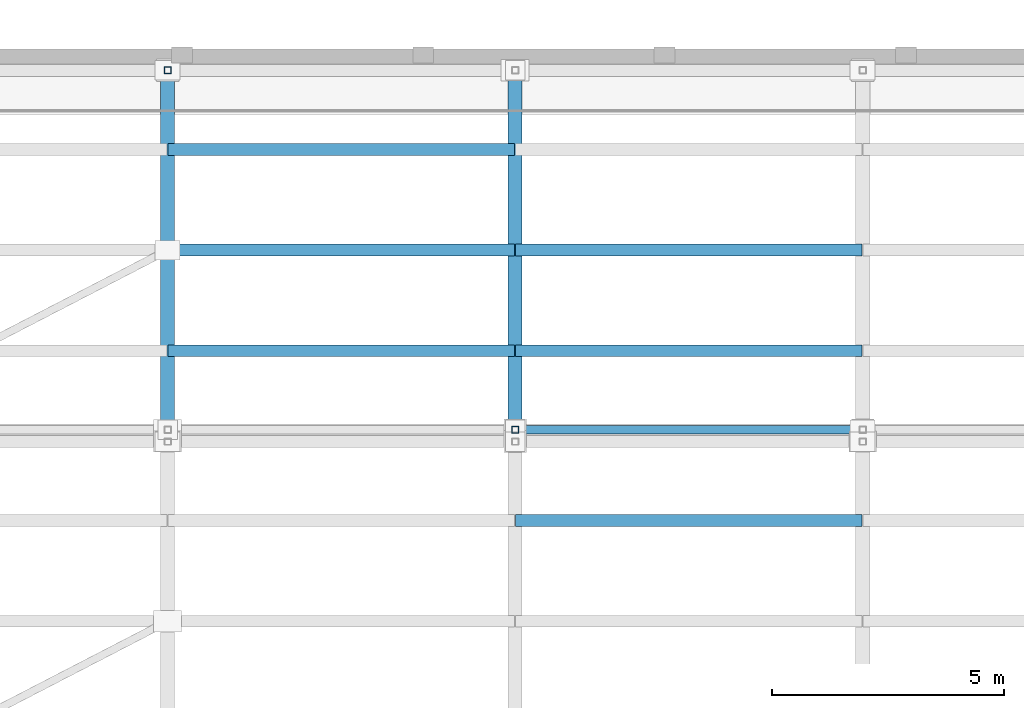
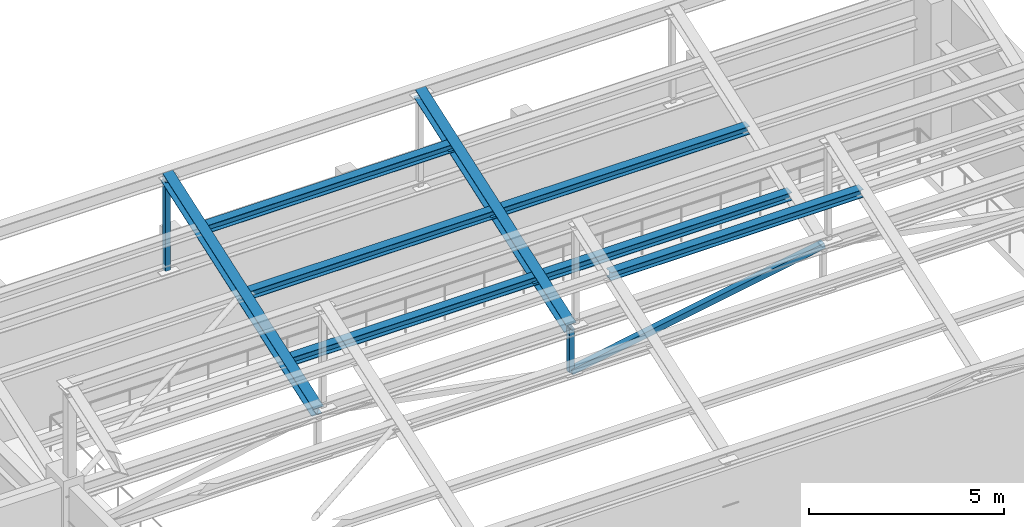
# One storey, part 29 of 76: 11 members.
"""IFC4 building model written with IfcOpenShell, lengths in metres."""

from ifc_helpers import new_model, si_unit, direction, frame, origin, origin_2d, place, context, subcontext, project, spatial, hollow_rectangle, i_section, extrude, material, material_profile, profile_set, type_object, element, save


model = new_model("IFC4")

# Units and contexts
model_context = context("Model", 3, precision=1e-05, world=origin(), true_north=direction((0.0, 1.0)))
body_context = subcontext(model_context, "Body", "Model", "MODEL_VIEW")
ifc_project = project(units=[si_unit("LENGTHUNIT", "METRE"), si_unit("AREAUNIT", "SQUARE_METRE"), si_unit("VOLUMEUNIT", "CUBIC_METRE"), si_unit("PLANEANGLEUNIT", "RADIAN"), si_unit("MASSUNIT", "GRAM", prefix="KILO")], contexts=[model_context])

# Site, building, storey
site_placement = place(None, origin())
site = spatial("IfcSite", under=ifc_project, at=site_placement, CompositionType="ELEMENT")
building_placement = place(site_placement, origin())
building = spatial("IfcBuilding", under=site, at=building_placement, Name="Cinchona Park Media Centre", CompositionType="ELEMENT")
storey_placement = place(building_placement, frame((0.0, 0.0, 15.60009765625)))
storey = spatial("IfcBuildingStorey", under=building, at=storey_placement, Name="L03", CompositionType="ELEMENT", Elevation=15.60009765625)

# Members
ifc_material_1 = material(Name="Steel S355", Category="steel")
ifc_material_profile_1 = material_profile(ifc_material_1, i_section(OverallWidth=0.25390625, OverallDepth=0.2529296875, WebThickness=0.008544921875, FlangeThickness=0.01416015625, at=origin_2d()), Name="W250X73")
ifc_profile_set_1 = profile_set([ifc_material_profile_1], Name="Steel S355")
member_type_1 = type_object("IfcMemberType", Name="MEMBER-PR02-W250X73", PredefinedType="PURLIN", material=ifc_profile_set_1)
for number, where, z_axis, x_axis, name in (
    (1, (30.389892578125, 108.044921875, 6.849365234375), (1.0, 0.0, 0.0), (0.0, 1.0, 0.0), "Sawtooth Roof Purlin PR02"),
    (2, (22.89990234375, 111.705078125, 4.537353515625), (1.0, 0.0, 0.0), (0.0, 1.0, 0.0), "Sawtooth Roof Purlin PR02"),
    (3, (30.389892578125, 111.705078125, 4.537353515625), (1.0, 0.0, 0.0), (0.0, 1.0, 0.0), "Sawtooth Roof Purlin PR02"),
    (4, (22.89990234375, 113.875, 5.29345703125), (1.0, 0.0, 0.0), (0.0, 1.0, 0.0), "Sawtooth Roof Purlin PR02"),
    (5, (30.389892578125, 113.875, 5.29345703125), (1.0, 0.0, 0.0), (0.0, 1.0, 0.0), "Sawtooth Roof Purlin PR02"),
    (6, (22.89990234375, 116.044921875, 6.04931640625), (1.0, 0.0, 0.0), (0.0, 1.0, 0.0), "Sawtooth Roof Purlin PR02"),
):
    element("IfcMember", number, at=place(storey_placement, frame(where, z_axis=z_axis, x_axis=x_axis)), inside=storey, type_object=member_type_1, Name=name, PredefinedType="PURLIN", context=body_context, shape_type="SweptSolid", body=[
        extrude(i_section(OverallWidth=0.25390625, OverallDepth=0.2529296875, WebThickness=0.008544921875, FlangeThickness=0.01416015625, at=origin_2d()), origin(), (0.0, 0.0, 1.0), 7.47021484375),
    ])
ifc_material_2 = material(Name="Steel S355", Category="steel")
ifc_material_profile_2 = material_profile(ifc_material_2, hollow_rectangle(XDim=0.14990234375, YDim=0.14990234375, WallThickness=0.010009765625, at=origin_2d()), Name="150X150X10SHS")
ifc_profile_set_2 = profile_set([ifc_material_profile_2], Name="Steel S355")
member_type_2 = type_object("IfcMemberType", Name="MEMBER-TS03-SHS150X150X10", PredefinedType="STRUT", material=ifc_profile_set_2)
member_1_placement = place(storey_placement, frame((30.3798828125, 110.0, 2.64990234375), z_axis=(0.0, 0.0, 1.0), x_axis=(1.0, 0.0, 0.0)))
element("IfcMember", 7, at=member_1_placement, inside=storey, type_object=member_type_2, Name="ROOF TRUSS Vertical Strut TN2", PredefinedType="STRUT", context=body_context, shape_type="SweptSolid", body=[
    extrude(hollow_rectangle(XDim=0.14990234375, YDim=0.14990234375, WallThickness=0.010009765625, at=origin_2d()), origin(), (0.0, 0.0, 1.0), 1.35009765625),
])
member_2_placement = place(storey_placement, frame((22.889892578125, 117.75, 3.75), z_axis=(0.0, 0.0, 1.0), x_axis=(1.0, 0.0, 0.0)))
element("IfcMember", 8, at=member_2_placement, inside=storey, type_object=member_type_2, Name="ROOF TRUSS Monitor Post V2 Bay 2", PredefinedType="STRUT", context=body_context, shape_type="SweptSolid", body=[
    extrude(hollow_rectangle(XDim=0.14990234375, YDim=0.14990234375, WallThickness=0.010009765625, at=origin_2d()), origin(), (0.0, 0.0, 1.0), 2.949951171875),
])
ifc_material_3 = material(Name="Steel S355", Category="steel")
ifc_material_profile_3 = material_profile(ifc_material_3, hollow_rectangle(XDim=0.179931640625, YDim=0.179931640625, WallThickness=0.012451171875, at=origin_2d()), Name="180X180X12.5SHS")
ifc_profile_set_3 = profile_set([ifc_material_profile_3], Name="Steel S355")
member_type_3 = type_object("IfcMemberType", Name="MEMBER-TS04-SHS180X180X12.5", PredefinedType="STRUT", material=ifc_profile_set_3)
member_3_placement = place(storey_placement, frame((30.3798828125, 110.0, 2.64990234375), z_axis=(0.984140790649, 0.0, 0.177389132082), x_axis=(0.0, 1.0, 0.0)))
element("IfcMember", 9, at=member_3_placement, inside=storey, type_object=member_type_3, Name="ROOF TRUSS Web Diagonal TN3", PredefinedType="STRUT", context=body_context, shape_type="SweptSolid", body=[
    extrude(hollow_rectangle(XDim=0.179931640625, YDim=0.179931640625, WallThickness=0.012451171875, at=origin_2d()), origin(), (0.0, 0.0, 1.0), 7.61083984375),
])
ifc_material_4 = material(Name="Steel S355", Category="steel")
ifc_material_profile_4 = material_profile(ifc_material_4, i_section(OverallWidth=0.304931640625, OverallDepth=0.30810546875, WebThickness=0.010009765625, FlangeThickness=0.015380859375, at=origin_2d()), Name="W310X97")
ifc_profile_set_4 = profile_set([ifc_material_profile_4], Name="Steel S355")
member_type_4 = type_object("IfcMemberType", Name="MEMBER-TS06-W310X97", PredefinedType="STRUT", material=ifc_profile_set_4)
for number, where, z_axis, x_axis, name in (
    (10, (22.889892578125, 110.0, 4.0), (0.0, 0.944334143314, 0.328987880888), (-1.0, 0.0, 0.0), "ROOF TRUSS Sawtooth Rafter V2 Bay 2"),
    (11, (30.3798828125, 110.0, 4.0), (0.0, 0.944334143314, 0.328987880888), (-1.0, 0.0, 0.0), "ROOF TRUSS Sawtooth Rafter V2 Bay 2"),
):
    element("IfcMember", number, at=place(storey_placement, frame(where, z_axis=z_axis, x_axis=x_axis)), inside=storey, type_object=member_type_4, Name=name, PredefinedType="STRUT", context=body_context, shape_type="SweptSolid", body=[
        extrude(i_section(OverallWidth=0.304931640625, OverallDepth=0.30810546875, WebThickness=0.010009765625, FlangeThickness=0.015380859375, at=origin_2d()), origin(), (0.0, 0.0, 1.0), 8.206787109375),
    ])

save(model, "model.ifc")
